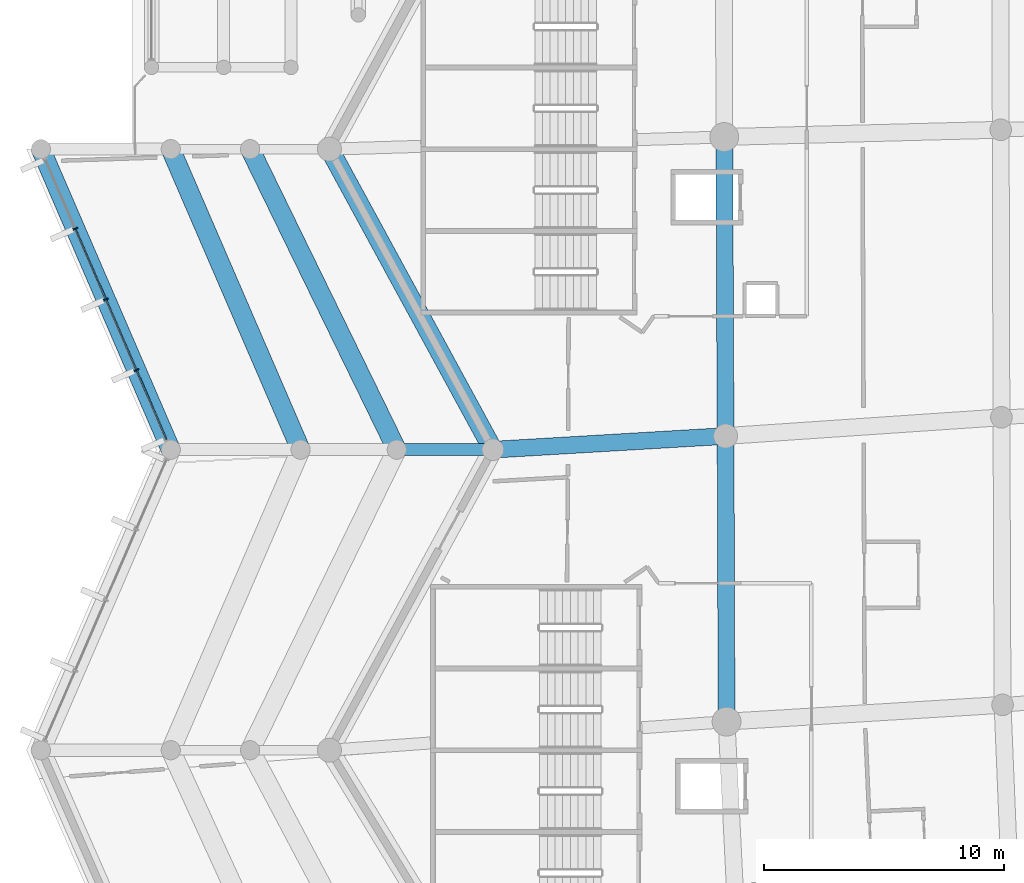
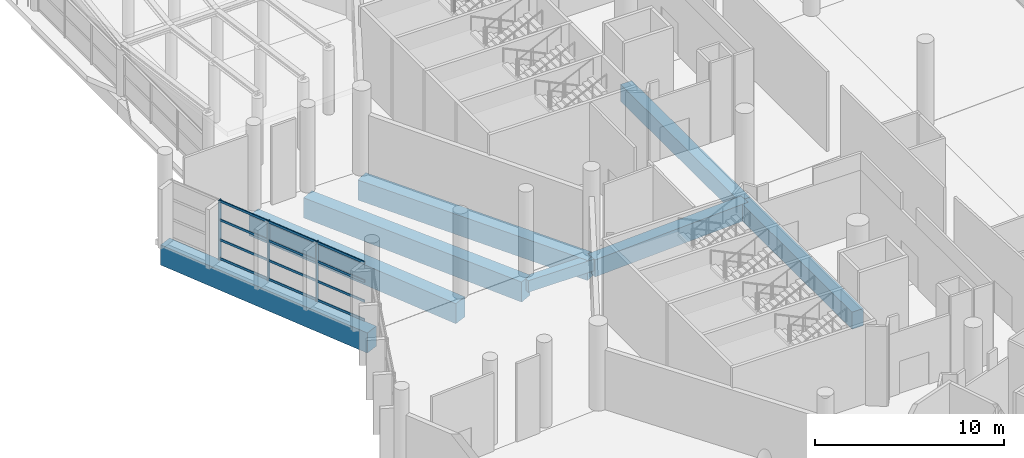
# One storey, part 31 of 271: 15 members, 8 beams, 1 element without a shape of its own.
"""IFC4 building model written with IfcOpenShell, lengths in metres."""

from ifc_helpers import new_model, si_unit, direction, frame, origin, origin_2d, place, context, subcontext, project, spatial, rectangle, extrude, material, layer, layer_set, material_profile, profile_set, type_object, element, aggregate, save


model = new_model("IFC4")

# Units and contexts
model_context = context("Model", 3, precision=1e-05, world=origin(), true_north=direction((0.0, 1.0)))
body_context = subcontext(model_context, "Body", "Model", "MODEL_VIEW")
ifc_project = project(units=[si_unit("LENGTHUNIT", "METRE"), si_unit("AREAUNIT", "SQUARE_METRE"), si_unit("VOLUMEUNIT", "CUBIC_METRE"), si_unit("PLANEANGLEUNIT", "RADIAN"), si_unit("MASSUNIT", "GRAM", prefix="KILO")], contexts=[model_context])

# Site, building, storey
site_placement = place(None, origin())
site = spatial("IfcSite", under=ifc_project, at=site_placement, CompositionType="ELEMENT")
building_placement = place(site_placement, origin())
building = spatial("IfcBuilding", under=site, at=building_placement, Name="Meseta Stadium", CompositionType="ELEMENT")
storey_placement = place(building_placement, frame((0.0, 0.0, 6.5)))
storey = spatial("IfcBuildingStorey", under=building, at=storey_placement, Name="L01", CompositionType="ELEMENT", Elevation=6.5)

# Beams
ifc_material_1 = material(Name="Concrete C40/50", Category="concrete")
ifc_material_profile_1 = material_profile(ifc_material_1, rectangle(XDim=0.5, YDim=0.75, at=origin_2d()), Name="RC 500x750")
ifc_profile_set_1 = profile_set([ifc_material_profile_1], Name="Concrete C40/50")
beam_type_1 = type_object("IfcBeamType", Name="RC beam 500x750", PredefinedType="BEAM", material=ifc_profile_set_1)
beam_1_placement = place(storey_placement, frame((-94.60009765625, -31.25, -0.72509765625), z_axis=(-1.0, 0.0, 0.0), x_axis=(0.0, -1.0, 0.0)))
element("IfcBeam", 1, at=beam_1_placement, inside=storey, type_object=beam_type_1, Name="L01 radial beam frame 35 line R to M", PredefinedType="BEAM", context=body_context, shape_type="SweptSolid", body=[
    extrude(rectangle(XDim=0.5, YDim=0.75, at=origin_2d()), origin(), (0.0, 0.0, 1.0), 4.0),
])
ifc_material_2 = material(Name="Concrete C40/50", Category="concrete")
ifc_material_profile_2 = material_profile(ifc_material_2, rectangle(XDim=0.699951171875, YDim=1.10009765625, at=origin_2d()), Name="RC 700x1100")
ifc_profile_set_2 = profile_set([ifc_material_profile_2], Name="Concrete C40/50")
beam_type_2 = type_object("IfcBeamType", Name="RC beam 700x1100", PredefinedType="BEAM", material=ifc_profile_set_2)
beam_2_placement = place(storey_placement, frame((-84.978515625, -18.24365234375, -0.89990234375), z_axis=(0.004279001378, -0.999990845032, 0.0), x_axis=(0.999990845032, 0.004279001378, 0.0)))
element("IfcBeam", 2, at=beam_2_placement, inside=storey, type_object=beam_type_2, Name="L01 ring beam frame 34 line P", PredefinedType="BEAM", context=body_context, shape_type="SweptSolid", body=[
    extrude(rectangle(XDim=0.699951171875, YDim=1.10009765625, at=origin_2d()), origin(), (0.0, 0.0, 1.0), 12.43798828125),
])
beam_3_placement = place(storey_placement, frame((-84.92529296875, -30.681640625, -0.89990234375), z_axis=(0.003473057557, -0.999993968917, 0.0), x_axis=(0.999993968917, 0.003473057557, 0.0)))
element("IfcBeam", 3, at=beam_3_placement, inside=storey, type_object=beam_type_2, Name="L01 ring beam frame 35 line P", PredefinedType="BEAM", context=body_context, shape_type="SweptSolid", body=[
    extrude(rectangle(XDim=0.699951171875, YDim=1.10009765625, at=origin_2d()), origin(), (0.0, 0.0, 1.0), 11.8798828125),
])
beam_4_placement = place(storey_placement, frame((-84.92529296875, -30.681640625, -0.89990234375), z_axis=(-0.998278887273, -0.058645231896, 0.0), x_axis=(0.058645231896, -0.998278887273, 0.0)))
element("IfcBeam", 4, at=beam_4_placement, inside=storey, type_object=beam_type_2, Name="L01 radial beam frame 35 line P to R", PredefinedType="BEAM", context=body_context, shape_type="SweptSolid", body=[
    extrude(rectangle(XDim=0.699951171875, YDim=1.10009765625, at=origin_2d()), origin(), (0.0, 0.0, 1.0), 9.69140625),
])
ifc_material_3 = material(Name="Concrete C40/50", Category="concrete")
ifc_material_profile_3 = material_profile(ifc_material_3, rectangle(XDim=0.800048828125, YDim=1.300048828125, at=origin_2d()), Name="RC 800x1300")
ifc_profile_set_3 = profile_set([ifc_material_profile_3], Name="Concrete C40/50")
beam_type_3 = type_object("IfcBeamType", Name="RC beam 800x1300", PredefinedType="BEAM", material=ifc_profile_set_3)
beam_5_placement = place(storey_placement, frame((-101.39990234375, -18.75, -1.0), z_axis=(0.47785649891, -0.878437912689, 0.0), x_axis=(0.878437912689, 0.47785649891, 0.0)))
element("IfcBeam", 5, at=beam_5_placement, inside=storey, type_object=beam_type_3, Name="L01 ring beam frame 34 line R", PredefinedType="BEAM", context=body_context, shape_type="SweptSolid", body=[
    extrude(rectangle(XDim=0.800048828125, YDim=1.300048828125, at=origin_2d()), origin(), (0.0, 0.0, 1.0), 14.229736328125),
])
beam_6_placement = place(storey_placement, frame((-104.699951171875, -18.75, -1.0), z_axis=(0.438556770405, -0.898703487882, 0.0), x_axis=(0.898703487882, 0.438556770405, 0.0)))
element("IfcBeam", 6, at=beam_6_placement, inside=storey, type_object=beam_type_3, Name="L01 ring beam frame 34 line M", PredefinedType="BEAM", context=body_context, shape_type="SweptSolid", body=[
    extrude(rectangle(XDim=0.800048828125, YDim=1.300048828125, at=origin_2d()), origin(), (0.0, 0.0, 1.0), 13.908935546875),
])
for number, where, z_axis, x_axis, name in (
    (7, (-108.0, -18.75, -1.0), (0.396570645327, -0.918004206562, 0.0), (0.918004206562, 0.396570645327, 0.0), "L01 ring beam frame 34 line Q"),
    (8, (-113.39990234375, -18.75, -1.0), (0.396570645327, -0.918004206562, 0.0), (0.918004206562, 0.396570645327, 0.0), "L01 ring beam frame 34 line O"),
):
    element("IfcBeam", number, at=place(storey_placement, frame(where, z_axis=z_axis, x_axis=x_axis)), inside=storey, type_object=beam_type_3, Name=name, PredefinedType="BEAM", context=body_context, shape_type="SweptSolid", body=[
        extrude(rectangle(XDim=0.800048828125, YDim=1.300048828125, at=origin_2d()), origin(), (0.0, 0.0, 1.0), 13.616455078125),
    ])

# Curtain wall, members
ifc_material_4 = material(Name="Aluminium", Category="aluminium")
ifc_layer = layer(ifc_material_4, 0.199951171875)
ifc_layer_set = layer_set([ifc_layer], Name="Ring shopfront curtain wall")
curtain_wall_type = type_object("IfcCurtainWallType", Name="Ring shopfront curtain wall", PredefinedType="NOTDEFINED", material=ifc_layer_set)
curtain_wall_placement = place(storey_placement, origin())
curtain_wall = element("IfcCurtainWall", 9, at=curtain_wall_placement, inside=storey, type_object=curtain_wall_type, Name="Ring glazing L01 F34", PredefinedType="NOTDEFINED")
ifc_material_5 = material(Name="Aluminium", Category="aluminium")
ifc_material_profile_4 = material_profile(ifc_material_5, rectangle(XDim=0.199951171875, YDim=0.06005859375, at=origin_2d()), Name="CW 200x60")
ifc_profile_set_4 = profile_set([ifc_material_profile_4], Name="Aluminium")
member_type_1 = type_object("IfcMemberType", Name="Ring CW mullion 60x200", PredefinedType="MULLION", material=ifc_profile_set_4)
member_1_placement = place(storey_placement, frame((-111.970703125, -22.05859375, 0.0), z_axis=(0.0, 0.0, 1.0), x_axis=(0.91799986854, 0.396580687073, 0.0)))
member_1 = element("IfcMember", 10, at=member_1_placement, type_object=member_type_1, Name="CWR1 mullion 2", PredefinedType="MULLION", context=body_context, shape_type="SweptSolid", body=[
    extrude(rectangle(XDim=0.199951171875, YDim=0.06005859375, at=origin_2d()), origin(), (0.0, 0.0, 1.0), 3.85009765625),
])
member_2_placement = place(storey_placement, frame((-110.699951171875, -25.0, 0.0), z_axis=(0.0, 0.0, 1.0), x_axis=(0.91799986854, 0.396580687073, 0.0)))
member_2 = element("IfcMember", 11, at=member_2_placement, type_object=member_type_1, Name="CWR1 mullion 3", PredefinedType="MULLION", context=body_context, shape_type="SweptSolid", body=[
    extrude(rectangle(XDim=0.199951171875, YDim=0.06005859375, at=origin_2d()), origin(), (0.0, 0.0, 1.0), 3.85009765625),
])
member_3_placement = place(storey_placement, frame((-109.42919921875, -27.94140625, 0.0), z_axis=(0.0, 0.0, 1.0), x_axis=(0.91799986854, 0.396580687073, 0.0)))
member_3 = element("IfcMember", 12, at=member_3_placement, type_object=member_type_1, Name="CWR1 mullion 4", PredefinedType="MULLION", context=body_context, shape_type="SweptSolid", body=[
    extrude(rectangle(XDim=0.199951171875, YDim=0.06005859375, at=origin_2d()), origin(), (0.0, 0.0, 1.0), 3.85009765625),
])
ifc_material_6 = material(Name="Aluminium", Category="aluminium")
ifc_material_profile_5 = material_profile(ifc_material_6, rectangle(XDim=0.06005859375, YDim=0.14990234375, at=origin_2d()), Name="CW 60x150")
ifc_profile_set_5 = profile_set([ifc_material_profile_5], Name="Aluminium")
member_type_2 = type_object("IfcMemberType", Name="Ring CW transom 60x150", PredefinedType="USERDEFINED", material=ifc_profile_set_5)
member_4_placement = place(storey_placement, frame((-111.958740234375, -22.086181640625, 0.074951171875), z_axis=(0.396569883564, -0.918004535637, 0.0), x_axis=(0.918004535637, 0.396569883564, 0.0)))
member_4 = element("IfcMember", 13, at=member_4_placement, type_object=member_type_2, Name="CWR1 transom 2.1", ObjectType="TRANSOM", PredefinedType="USERDEFINED", context=body_context, shape_type="SweptSolid", body=[
    extrude(rectangle(XDim=0.06005859375, YDim=0.14990234375, at=origin_2d()), origin(), (0.0, 0.0, 1.0), 3.14404296875),
])
member_5_placement = place(storey_placement, frame((-111.958740234375, -22.086181640625, 1.283447265625), z_axis=(0.396569883564, -0.918004535637, 0.0), x_axis=(0.918004535637, 0.396569883564, 0.0)))
member_5 = element("IfcMember", 14, at=member_5_placement, type_object=member_type_2, Name="CWR1 transom 2.2", ObjectType="TRANSOM", PredefinedType="USERDEFINED", context=body_context, shape_type="SweptSolid", body=[
    extrude(rectangle(XDim=0.06005859375, YDim=0.14990234375, at=origin_2d()), origin(), (0.0, 0.0, 1.0), 3.14404296875),
])
member_6_placement = place(storey_placement, frame((-111.958740234375, -22.086181640625, 2.566650390625), z_axis=(0.396569883564, -0.918004535637, 0.0), x_axis=(0.918004535637, 0.396569883564, 0.0)))
member_6 = element("IfcMember", 15, at=member_6_placement, type_object=member_type_2, Name="CWR1 transom 2.3", ObjectType="TRANSOM", PredefinedType="USERDEFINED", context=body_context, shape_type="SweptSolid", body=[
    extrude(rectangle(XDim=0.06005859375, YDim=0.14990234375, at=origin_2d()), origin(), (0.0, 0.0, 1.0), 3.14404296875),
])
member_7_placement = place(storey_placement, frame((-111.958740234375, -22.086181640625, 3.77490234375), z_axis=(0.396569883564, -0.918004535637, 0.0), x_axis=(0.918004535637, 0.396569883564, 0.0)))
member_7 = element("IfcMember", 16, at=member_7_placement, type_object=member_type_2, Name="CWR1 transom 2.4", ObjectType="TRANSOM", PredefinedType="USERDEFINED", context=body_context, shape_type="SweptSolid", body=[
    extrude(rectangle(XDim=0.06005859375, YDim=0.14990234375, at=origin_2d()), origin(), (0.0, 0.0, 1.0), 3.14404296875),
])
member_8_placement = place(storey_placement, frame((-110.68798828125, -25.027587890625, 0.074951171875), z_axis=(0.396569883564, -0.918004535637, 0.0), x_axis=(0.918004535637, 0.396569883564, 0.0)))
member_8 = element("IfcMember", 17, at=member_8_placement, type_object=member_type_2, Name="CWR1 transom 3.1", ObjectType="TRANSOM", PredefinedType="USERDEFINED", context=body_context, shape_type="SweptSolid", body=[
    extrude(rectangle(XDim=0.06005859375, YDim=0.14990234375, at=origin_2d()), origin(), (0.0, 0.0, 1.0), 3.14404296875),
])
member_9_placement = place(storey_placement, frame((-110.68798828125, -25.027587890625, 1.283447265625), z_axis=(0.396569883564, -0.918004535637, 0.0), x_axis=(0.918004535637, 0.396569883564, 0.0)))
member_9 = element("IfcMember", 18, at=member_9_placement, type_object=member_type_2, Name="CWR1 transom 3.2", ObjectType="TRANSOM", PredefinedType="USERDEFINED", context=body_context, shape_type="SweptSolid", body=[
    extrude(rectangle(XDim=0.06005859375, YDim=0.14990234375, at=origin_2d()), origin(), (0.0, 0.0, 1.0), 3.14404296875),
])
member_10_placement = place(storey_placement, frame((-110.68798828125, -25.027587890625, 2.566650390625), z_axis=(0.396569883564, -0.918004535637, 0.0), x_axis=(0.918004535637, 0.396569883564, 0.0)))
member_10 = element("IfcMember", 19, at=member_10_placement, type_object=member_type_2, Name="CWR1 transom 3.3", ObjectType="TRANSOM", PredefinedType="USERDEFINED", context=body_context, shape_type="SweptSolid", body=[
    extrude(rectangle(XDim=0.06005859375, YDim=0.14990234375, at=origin_2d()), origin(), (0.0, 0.0, 1.0), 3.14404296875),
])
member_11_placement = place(storey_placement, frame((-110.68798828125, -25.027587890625, 3.77490234375), z_axis=(0.396569883564, -0.918004535637, 0.0), x_axis=(0.918004535637, 0.396569883564, 0.0)))
member_11 = element("IfcMember", 20, at=member_11_placement, type_object=member_type_2, Name="CWR1 transom 3.4", ObjectType="TRANSOM", PredefinedType="USERDEFINED", context=body_context, shape_type="SweptSolid", body=[
    extrude(rectangle(XDim=0.06005859375, YDim=0.14990234375, at=origin_2d()), origin(), (0.0, 0.0, 1.0), 3.14404296875),
])
member_12_placement = place(storey_placement, frame((-109.41748046875, -27.968994140625, 0.074951171875), z_axis=(0.396623730244, -0.917981272471, 0.0), x_axis=(0.917981272471, 0.396623730244, 0.0)))
member_12 = element("IfcMember", 21, at=member_12_placement, type_object=member_type_2, Name="CWR1 transom 4.1", ObjectType="TRANSOM", PredefinedType="USERDEFINED", context=body_context, shape_type="SweptSolid", body=[
    extrude(rectangle(XDim=0.06005859375, YDim=0.14990234375, at=origin_2d()), origin(), (0.0, 0.0, 1.0), 3.114013671875),
])
member_13_placement = place(storey_placement, frame((-109.41748046875, -27.968994140625, 1.283447265625), z_axis=(0.396623730244, -0.917981272471, 0.0), x_axis=(0.917981272471, 0.396623730244, 0.0)))
member_13 = element("IfcMember", 22, at=member_13_placement, type_object=member_type_2, Name="CWR1 transom 4.2", ObjectType="TRANSOM", PredefinedType="USERDEFINED", context=body_context, shape_type="SweptSolid", body=[
    extrude(rectangle(XDim=0.06005859375, YDim=0.14990234375, at=origin_2d()), origin(), (0.0, 0.0, 1.0), 3.114013671875),
])
member_14_placement = place(storey_placement, frame((-109.41748046875, -27.968994140625, 2.566650390625), z_axis=(0.396623730244, -0.917981272471, 0.0), x_axis=(0.917981272471, 0.396623730244, 0.0)))
member_14 = element("IfcMember", 23, at=member_14_placement, type_object=member_type_2, Name="CWR1 transom 4.3", ObjectType="TRANSOM", PredefinedType="USERDEFINED", context=body_context, shape_type="SweptSolid", body=[
    extrude(rectangle(XDim=0.06005859375, YDim=0.14990234375, at=origin_2d()), origin(), (0.0, 0.0, 1.0), 3.114013671875),
])
member_15_placement = place(storey_placement, frame((-109.41748046875, -27.968994140625, 3.77490234375), z_axis=(0.396623730244, -0.917981272471, 0.0), x_axis=(0.917981272471, 0.396623730244, 0.0)))
member_15 = element("IfcMember", 24, at=member_15_placement, type_object=member_type_2, Name="CWR1 transom 4.4", ObjectType="TRANSOM", PredefinedType="USERDEFINED", context=body_context, shape_type="SweptSolid", body=[
    extrude(rectangle(XDim=0.06005859375, YDim=0.14990234375, at=origin_2d()), origin(), (0.0, 0.0, 1.0), 3.114013671875),
])
aggregate(curtain_wall, [member_1, member_2, member_3, member_4, member_5, member_6, member_7, member_8, member_9, member_10, member_11, member_12, member_13, member_14, member_15])

save(model, "model.ifc")
